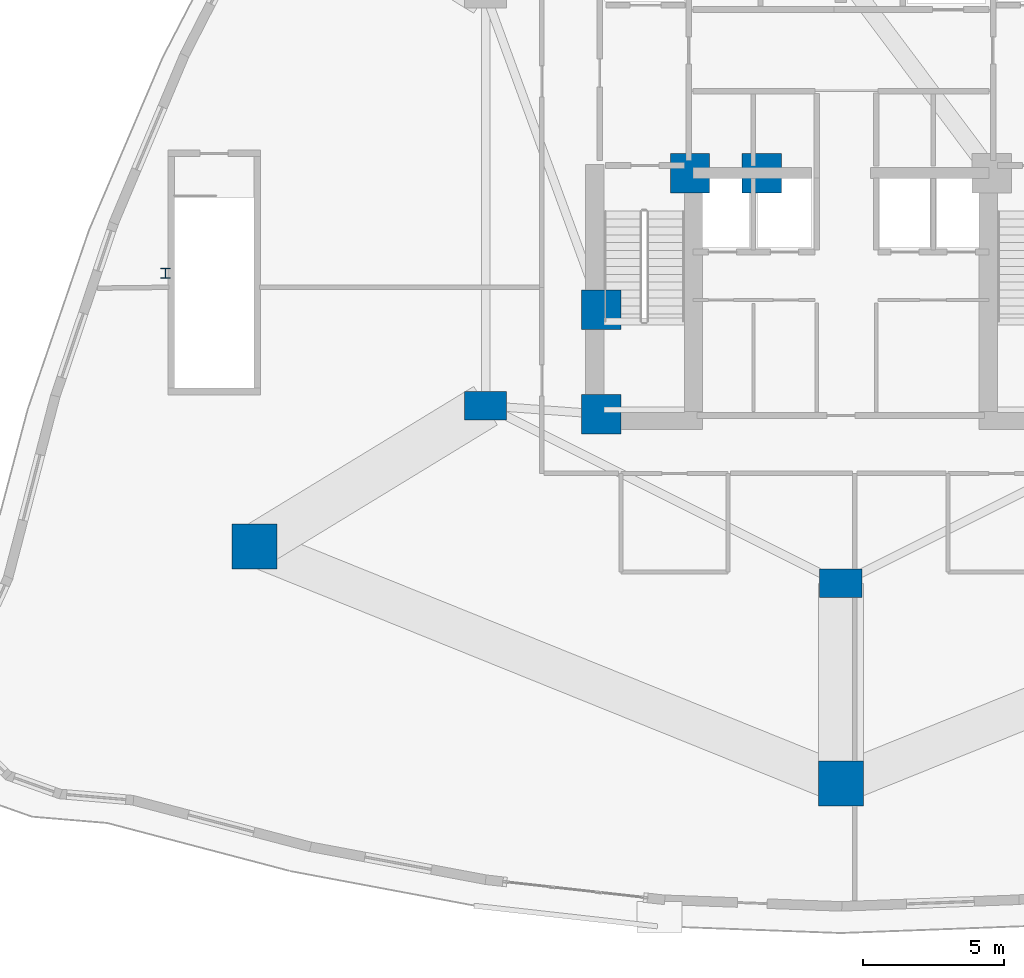
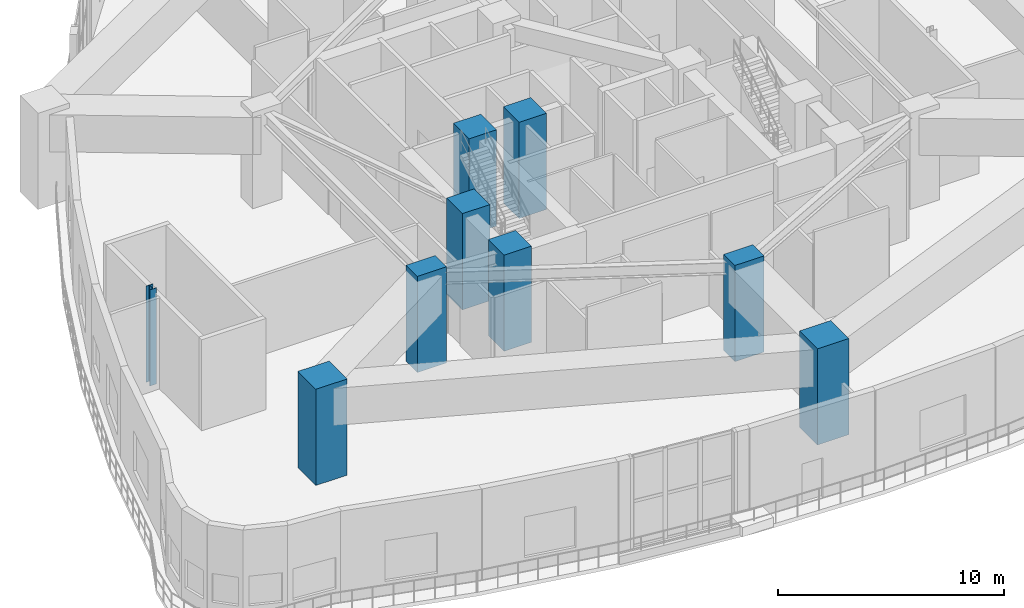
# One storey, part 1 of 19: 9 columns.
"""IFC4 building model written with IfcOpenShell, lengths in metres."""

from ifc_helpers import new_model, si_unit, direction, frame, origin, origin_2d, place, context, subcontext, project, spatial, rectangle, i_section, extrude, material, material_profile, profile_set, type_object, element, save


model = new_model("IFC4")

# Units and contexts
model_context = context("Model", 3, precision=1e-05, world=origin(), true_north=direction((0.0, 1.0)))
body_context = subcontext(model_context, "Body", "Model", "MODEL_VIEW")
ifc_project = project(units=[si_unit("LENGTHUNIT", "METRE"), si_unit("AREAUNIT", "SQUARE_METRE"), si_unit("VOLUMEUNIT", "CUBIC_METRE"), si_unit("PLANEANGLEUNIT", "RADIAN"), si_unit("MASSUNIT", "GRAM", prefix="KILO")], contexts=[model_context])

# Site, building, storey
site_placement = place(None, origin())
site = spatial("IfcSite", under=ifc_project, at=site_placement, CompositionType="ELEMENT")
building_placement = place(site_placement, origin())
building = spatial("IfcBuilding", under=site, at=building_placement, Name="Miruveldt Soraemaru", CompositionType="ELEMENT")
storey_placement = place(building_placement, frame((0.0, 0.0, 24.0)))
storey = spatial("IfcBuildingStorey", under=building, at=storey_placement, Name="L06", CompositionType="ELEMENT", Elevation=24.0)

# Columns
ifc_material_1 = material(Name="Concrete C80/95 (80 MPa)", Category="concrete")
ifc_material_profile_1 = material_profile(ifc_material_1, rectangle(XDim=1.39990234375, YDim=1.39990234375, at=origin_2d()), Name="Concrete C80/95 (80 MPa)", Category="concrete")
ifc_profile_set_1 = profile_set([ifc_material_profile_1], Name="Concrete C80/95 (80 MPa)")
column_type_1 = type_object("IfcColumnType", Name="COL-MEGA-1400", PredefinedType="COLUMN", material=ifc_profile_set_1)
for number, where, z_axis, x_axis, name in (
    (1, (35.5, 35.5, 0.0), (0.0, 0.0, 1.0), (1.0, 0.0, 0.0), "L06 Structural Column CC1"),
    (2, (38.64990234375, 44.050048828125, 0.0), (0.0, 0.0, 1.0), (1.0, 0.0, 0.0), "L06 Structural Column CC2"),
    (3, (35.5, 39.199951171875, 0.0), (0.0, 0.0, 1.0), (1.0, 0.0, 0.0), "L06 Structural Column CC7"),
    (4, (41.199951171875, 44.050048828125, 0.0), (0.0, 0.0, 1.0), (1.0, 0.0, 0.0), "L06 Structural Column CC8"),
):
    element("IfcColumn", number, at=place(storey_placement, frame(where, z_axis=z_axis, x_axis=x_axis)), inside=storey, type_object=column_type_1, Name=name, PredefinedType="COLUMN", context=body_context, shape_type="SweptSolid", body=[
        extrude(rectangle(XDim=1.39990234375, YDim=1.39990234375, at=origin_2d()), origin(), (0.0, 0.0, 1.0), 5.199951171875),
    ])
ifc_material_profile_2 = material_profile(ifc_material_1, rectangle(XDim=1.60009765625, YDim=1.60009765625, at=origin_2d()), Name="Concrete C80/95 (80 MPa)", Category="concrete")
ifc_profile_set_2 = profile_set([ifc_material_profile_2], Name="Concrete C80/95 (80 MPa)")
column_type_2 = type_object("IfcColumnType", Name="COL-MEGA-1600", PredefinedType="COLUMN", material=ifc_profile_set_2)
for number, where, z_axis, x_axis, name in (
    (5, (44.0, 22.39990234375, 0.0), (0.0, 0.0, 1.0), (1.0, 0.0, 0.0), "L06 Structural Column PM04"),
    (6, (23.199951171875, 30.800048828125, 0.0), (0.0, 0.0, 1.0), (1.0, 0.0, 0.0), "L06 Structural Column PM05"),
):
    element("IfcColumn", number, at=place(storey_placement, frame(where, z_axis=z_axis, x_axis=x_axis)), inside=storey, type_object=column_type_2, Name=name, PredefinedType="COLUMN", context=body_context, shape_type="SweptSolid", body=[
        extrude(rectangle(XDim=1.60009765625, YDim=1.60009765625, at=origin_2d()), origin(), (0.0, 0.0, 1.0), 5.199951171875),
    ])
ifc_material_2 = material(Name="Steel SM355 (355 MPa)", Category="steel")
ifc_material_profile_3 = material_profile(ifc_material_2, i_section(OverallWidth=0.35009765625, OverallDepth=0.35009765625, WebThickness=0.011962890625, FlangeThickness=0.01904296875, FilletRadius=0.02001953125, at=origin_2d()), Name="Steel SM355 (355 MPa)", Category="steel")
ifc_profile_set_3 = profile_set([ifc_material_profile_3], Name="Steel SM355 (355 MPa)")
column_type_3 = type_object("IfcColumnType", Name="COL-PIL-350", PredefinedType="PILASTER", material=ifc_profile_set_3)
column_placement = place(storey_placement, frame((20.050048828125, 40.5, 0.0), z_axis=(0.0, 0.0, 1.0), x_axis=(1.0, 0.0, 0.0)))
element("IfcColumn", 7, at=column_placement, inside=storey, type_object=column_type_3, Name="L06 Structural Column PIL1", PredefinedType="PILASTER", context=body_context, shape_type="SweptSolid", body=[
    extrude(i_section(OverallWidth=0.35009765625, OverallDepth=0.35009765625, WebThickness=0.011962890625, FlangeThickness=0.01904296875, FilletRadius=0.02001953125, at=origin_2d()), origin(), (0.0, 0.0, 1.0), 5.199951171875),
])
ifc_material_profile_4 = material_profile(ifc_material_1, rectangle(XDim=1.5, YDim=1.0, at=origin_2d()), Name="Concrete C80/95 (80 MPa)", Category="concrete")
ifc_profile_set_4 = profile_set([ifc_material_profile_4], Name="Concrete C80/95 (80 MPa)")
column_type_4 = type_object("IfcColumnType", Name="COL-TW-Z1A", PredefinedType="COLUMN", material=ifc_profile_set_4)
for number, where, z_axis, x_axis, name in (
    (8, (44.0, 29.5, 0.0), (0.0, 0.0, 1.0), (1.0, 0.0, 0.0), "L06 Structural Column IR04"),
    (9, (31.39990234375, 35.800048828125, 0.0), (0.0, 0.0, 1.0), (1.0, 0.0, 0.0), "L06 Structural Column IR05"),
):
    element("IfcColumn", number, at=place(storey_placement, frame(where, z_axis=z_axis, x_axis=x_axis)), inside=storey, type_object=column_type_4, Name=name, PredefinedType="COLUMN", context=body_context, shape_type="SweptSolid", body=[
        extrude(rectangle(XDim=1.5, YDim=1.0, at=origin_2d()), origin(), (0.0, 0.0, 1.0), 5.199951171875),
    ])

save(model, "model.ifc")
